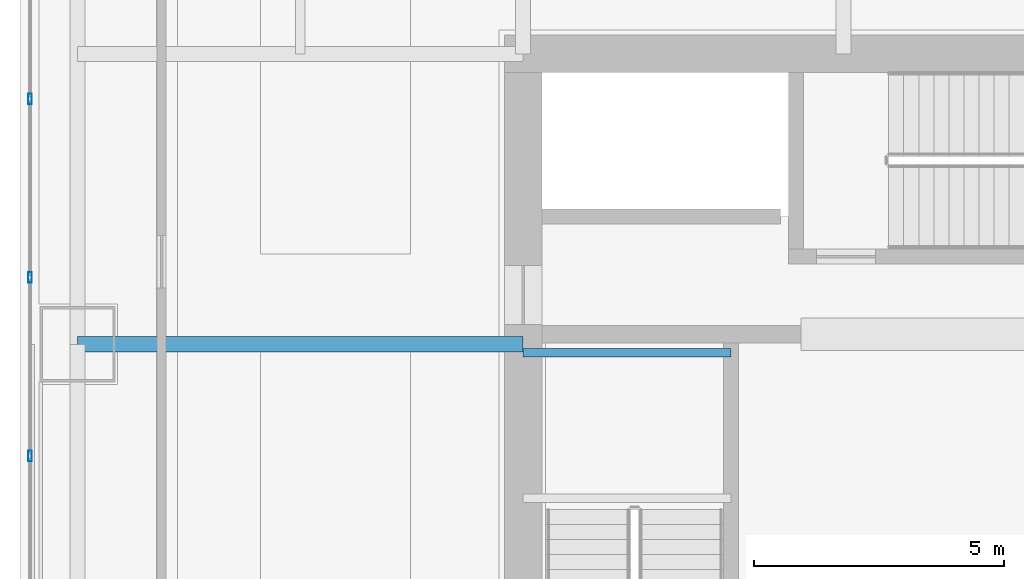
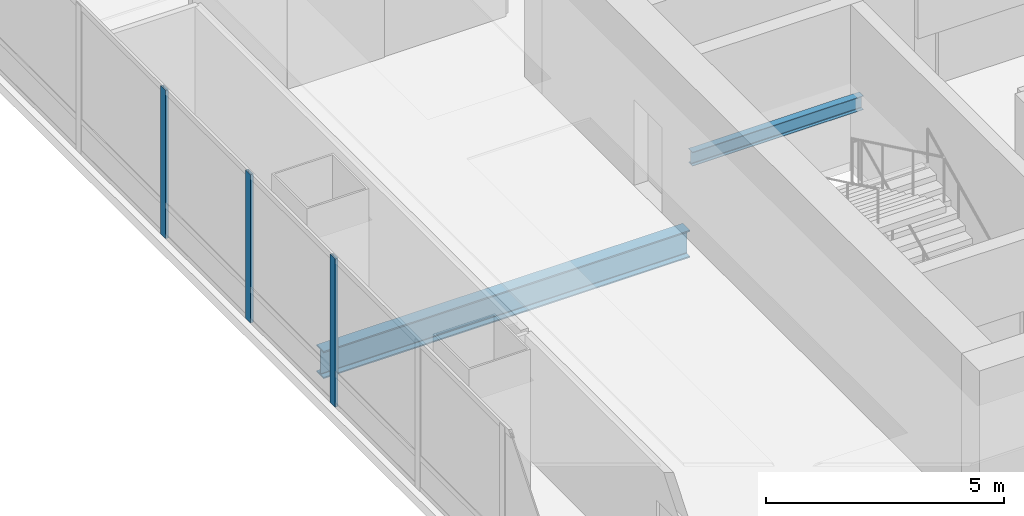
# One storey, part 10 of 35: 3 members, 2 beams, 1 element without a shape of its own.
"""IFC4 building model written with IfcOpenShell, lengths in metres."""

from ifc_helpers import new_model, si_unit, direction, frame, origin, origin_2d, place, context, subcontext, project, spatial, hollow_rectangle, i_section, extrude, material, material_profile, profile_set, type_object, element, aggregate, save


model = new_model("IFC4")

# Units and contexts
model_context = context("Model", 3, precision=1e-05, world=origin(), true_north=direction((0.0, 1.0)))
body_context = subcontext(model_context, "Body", "Model", "MODEL_VIEW")
ifc_project = project(units=[si_unit("LENGTHUNIT", "METRE"), si_unit("AREAUNIT", "SQUARE_METRE"), si_unit("VOLUMEUNIT", "CUBIC_METRE"), si_unit("PLANEANGLEUNIT", "RADIAN"), si_unit("MASSUNIT", "GRAM", prefix="KILO")], contexts=[model_context])

# Site, building, storey
site_placement = place(None, origin())
site = spatial("IfcSite", under=ifc_project, at=site_placement, CompositionType="ELEMENT")
building_placement = place(site_placement, origin())
building = spatial("IfcBuilding", under=site, at=building_placement, Name="Punatoya Terracotta Tower", CompositionType="ELEMENT")
storey_placement = place(building_placement, frame((0.0, 0.0, 64.64990234375)))
storey = spatial("IfcBuildingStorey", under=building, at=storey_placement, Name="L14", CompositionType="ELEMENT", Elevation=64.64990234375)

# Beams
ifc_material_1 = material(Name="Steel S355", Category="steel")
ifc_material_profile_1 = material_profile(ifc_material_1, i_section(OverallWidth=0.300048828125, OverallDepth=0.699951171875, WebThickness=0.01708984375, FlangeThickness=0.031982421875, FilletRadius=0.01806640625, at=origin_2d()))
ifc_profile_set_1 = profile_set([ifc_material_profile_1], Name="Steel S355")
beam_type_1 = type_object("IfcBeamType", Name="BM-PRI-700", PredefinedType="BEAM", material=ifc_profile_set_1)
beam_1_placement = place(storey_placement, frame((-19.10009765625, 3.39990234375, -0.58984375), z_axis=(1.0, 0.0, 0.0), x_axis=(0.0, 1.0, 0.0)))
element("IfcBeam", 1, at=beam_1_placement, inside=storey, type_object=beam_type_1, Name="BM-L14-PR-WE", PredefinedType="BEAM", context=body_context, shape_type="SweptSolid", body=[
    extrude(i_section(OverallWidth=0.300048828125, OverallDepth=0.699951171875, WebThickness=0.01708984375, FlangeThickness=0.031982421875, FilletRadius=0.01806640625, at=origin_2d()), origin(), (0.0, 0.0, 1.0), 8.900146484375),
])
ifc_material_profile_2 = material_profile(ifc_material_1, i_section(OverallWidth=0.169921875, OverallDepth=0.360107421875, WebThickness=0.008056640625, FlangeThickness=0.0126953125, FilletRadius=0.01806640625, at=origin_2d()))
ifc_profile_set_2 = profile_set([ifc_material_profile_2], Name="Steel S355")
beam_type_2 = type_object("IfcBeamType", Name="BM-SEC-360", PredefinedType="JOIST", material=ifc_profile_set_2)
beam_2_placement = place(storey_placement, frame((-10.199951171875, 3.22998046875, 1.64501953125), z_axis=(1.0, 0.0, 0.0), x_axis=(0.0, 1.0, 0.0)))
element("IfcBeam", 2, at=beam_2_placement, inside=storey, type_object=beam_type_2, Name="BM-L14-ST-1-LD1B", PredefinedType="JOIST", context=body_context, shape_type="SweptSolid", body=[
    extrude(i_section(OverallWidth=0.169921875, OverallDepth=0.360107421875, WebThickness=0.008056640625, FlangeThickness=0.0126953125, FilletRadius=0.01806640625, at=origin_2d()), origin(), (0.0, 0.0, 1.0), 4.14990234375),
])

# Curtain wall, members
ifc_material_2 = material(Name="Aluminium 6063-T6 + Double Low-E Glass", Category="aluminium")
curtain_wall_type = type_object("IfcCurtainWallType", Name="CW-M1", PredefinedType="NOTDEFINED", material=ifc_material_2)
curtain_wall_placement = place(storey_placement, origin())
curtain_wall = element("IfcCurtainWall", 3, at=curtain_wall_placement, inside=storey, type_object=curtain_wall_type, Name="L14 Curtain Wall CW-L14-W13-1", PredefinedType="NOTDEFINED")
ifc_material_3 = material(Name="Aluminium 6063-T6", Category="aluminium")
ifc_material_profile_3 = material_profile(ifc_material_3, hollow_rectangle(XDim=0.074951171875, YDim=0.2099609375, WallThickness=0.00439453125, at=origin_2d()))
ifc_profile_set_3 = profile_set([ifc_material_profile_3], Name="Aluminium 6063-T6")
member_type = type_object("IfcMemberType", Name="CW-MUL-M1", PredefinedType="MULLION", material=ifc_profile_set_3)
member_1_placement = place(storey_placement, frame((-20.050048828125, 8.302001953125, 0.0), z_axis=(0.0, 0.0, 1.0), x_axis=(1.0, 0.0, 0.0)))
member_1 = element("IfcMember", 4, at=member_1_placement, type_object=member_type, Name="CW-L14-W13-1 Mullion 02", PredefinedType="MULLION", context=body_context, shape_type="SweptSolid", body=[
    extrude(hollow_rectangle(XDim=0.074951171875, YDim=0.2099609375, WallThickness=0.00439453125, at=origin_2d()), origin(), (0.0, 0.0, 1.0), 3.81005859375),
])
member_2_placement = place(storey_placement, frame((-20.050048828125, 4.73486328125, 0.0), z_axis=(0.0, 0.0, 1.0), x_axis=(1.0, 0.0, 0.0)))
member_2 = element("IfcMember", 5, at=member_2_placement, type_object=member_type, Name="CW-L14-W13-1 Mullion 03", PredefinedType="MULLION", context=body_context, shape_type="SweptSolid", body=[
    extrude(hollow_rectangle(XDim=0.074951171875, YDim=0.2099609375, WallThickness=0.00439453125, at=origin_2d()), origin(), (0.0, 0.0, 1.0), 3.81005859375),
])
member_3_placement = place(storey_placement, frame((-20.050048828125, 1.16748046875, 0.0), z_axis=(0.0, 0.0, 1.0), x_axis=(1.0, 0.0, 0.0)))
member_3 = element("IfcMember", 6, at=member_3_placement, type_object=member_type, Name="CW-L14-W13-1 Mullion 04", PredefinedType="MULLION", context=body_context, shape_type="SweptSolid", body=[
    extrude(hollow_rectangle(XDim=0.074951171875, YDim=0.2099609375, WallThickness=0.00439453125, at=origin_2d()), origin(), (0.0, 0.0, 1.0), 3.81005859375),
])
aggregate(curtain_wall, [member_1, member_2, member_3])

save(model, "model.ifc")
